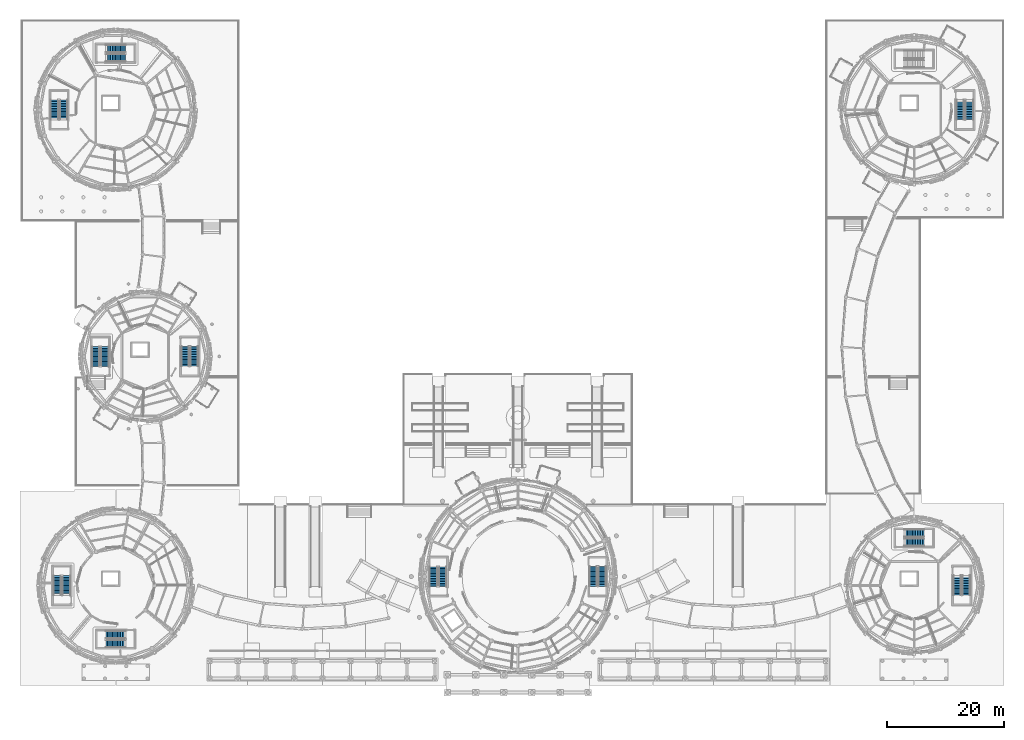
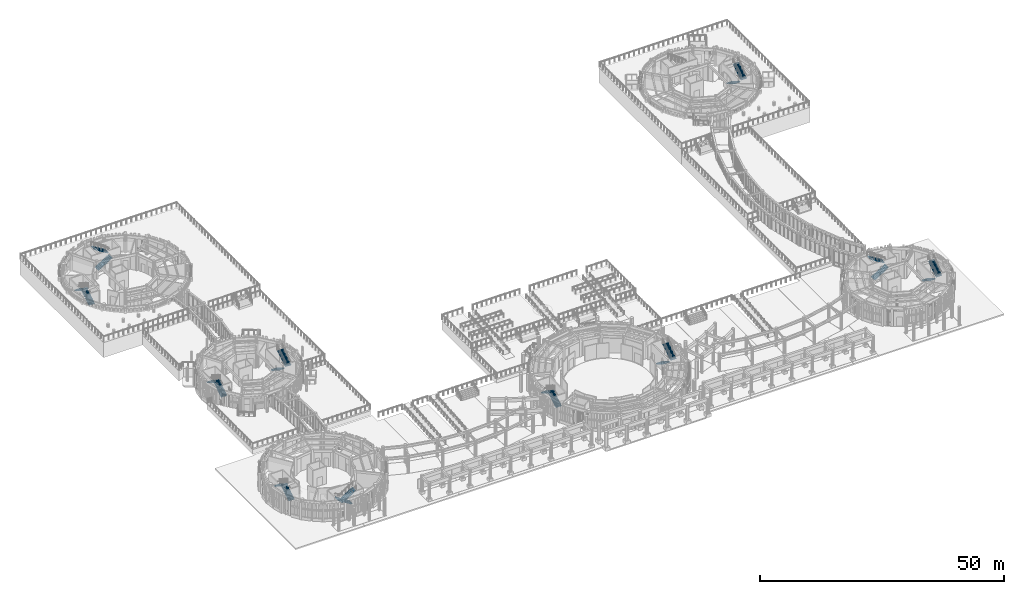
# One storey, part 57 of 94: 22 stair flights, 11 elements without a shape of their own.
"""IFC4 building model written with IfcOpenShell, lengths in metres."""

from ifc_helpers import new_model, si_unit, direction, frame, origin, place, context, subcontext, project, spatial, polyline, outline, extrude, material, type_object, element, aggregate, save


model = new_model("IFC4")

# Units and contexts
model_context = context("Model", 3, precision=1e-05, world=origin(), true_north=direction((0.0, 1.0)))
body_context = subcontext(model_context, "Body", "Model", "MODEL_VIEW")
ifc_project = project(units=[si_unit("LENGTHUNIT", "METRE"), si_unit("AREAUNIT", "SQUARE_METRE"), si_unit("VOLUMEUNIT", "CUBIC_METRE"), si_unit("PLANEANGLEUNIT", "RADIAN"), si_unit("MASSUNIT", "GRAM", prefix="KILO")], contexts=[model_context])

# Site, building, storey
site_placement = place(None, origin())
site = spatial("IfcSite", under=ifc_project, at=site_placement, CompositionType="ELEMENT")
building_placement = place(site_placement, origin())
building = spatial("IfcBuilding", under=site, at=building_placement, Name="Aldenvaro Health Centre", CompositionType="ELEMENT")
storey_placement = place(building_placement, origin())
storey = spatial("IfcBuildingStorey", under=building, at=storey_placement, Name="L00", CompositionType="ELEMENT", Elevation=0.0)

# Stair, stair flights
ifc_material = material(Name="Concrete f'c 40 MPa", Category="concrete")
stair_type = type_object("IfcStairType", Name="STR-DOG-455", PredefinedType="HALF_TURN_STAIR", material=ifc_material)
stair_1_placement = place(storey_placement, origin())
stair_1 = element("IfcStair", 1, at=stair_1_placement, inside=storey, type_object=stair_type, Name="L00 Exit Stair ST-01", PredefinedType="HALF_TURN_STAIR")
stair_flight_type_1 = type_object("IfcStairFlightType", Name="STRF-01", PredefinedType="STRAIGHT", material=ifc_material)
stair_flight_1_placement = place(storey_placement, frame((74.175048828125, 18.300048828125, 0.0), z_axis=(0.0, 0.0, 1.0), x_axis=(0.0, 1.0, 0.0)))
stair_flight_1 = element("IfcStairFlight", 2, at=stair_flight_1_placement, type_object=stair_flight_type_1, Name="ST-01 flight 1", NumberOfRisers=13, NumberOfTreads=12, PredefinedType="STRAIGHT", RiserHeight=0.175, TreadLength=0.28, context=body_context, shape_type="SweptSolid", body=[
    extrude(outline(polyline([(0.0, 0.0), (0.0, 0.175048828125), (0.280029296875, 0.175048828125), (0.280029296875, 0.35009765625), (0.56005859375, 0.35009765625), (0.56005859375, 0.52490234375), (0.840087890625, 0.52490234375), (0.840087890625, 0.699951171875), (1.1201171875, 0.699951171875), (1.1201171875, 0.875), (1.39990234375, 0.875), (1.39990234375, 1.050048828125), (1.679931640625, 1.050048828125), (1.679931640625, 1.22509765625), (1.9599609375, 1.22509765625), (1.9599609375, 1.39990234375), (2.239990234375, 1.39990234375), (2.239990234375, 1.574951171875), (2.52001953125, 1.574951171875), (2.52001953125, 1.75), (2.800048828125, 1.75), (2.800048828125, 1.925048828125), (3.080078125, 1.925048828125), (3.080078125, 2.10009765625), (3.360107421875, 2.10009765625), (3.360107421875, 2.27490234375), (3.360107421875, 1.911376953125), (0.3017578125, 0.0), (0.0, 0.0)])), frame((0.0, 0.675048828125, 0.0), z_axis=(0.0, -1.0, 0.0), x_axis=(1.0, 0.0, 0.0)), (0.0, 0.0, 1.0), 1.35009765625),
])
stair_flight_2_placement = place(storey_placement, frame((72.625, 21.659912109375, 2.27490234375), z_axis=(0.0, 0.0, 1.0), x_axis=(0.0, -1.0, 0.0)))
stair_flight_2 = element("IfcStairFlight", 3, at=stair_flight_2_placement, type_object=stair_flight_type_1, Name="ST-01 flight 2", NumberOfRisers=13, NumberOfTreads=12, PredefinedType="STRAIGHT", RiserHeight=0.175, TreadLength=0.28, context=body_context, shape_type="SweptSolid", body=[
    extrude(outline(polyline([(0.0, 0.0), (0.0, 0.175048828125), (0.280029296875, 0.175048828125), (0.280029296875, 0.35009765625), (0.56005859375, 0.35009765625), (0.56005859375, 0.52490234375), (0.840087890625, 0.52490234375), (0.840087890625, 0.699951171875), (1.1201171875, 0.699951171875), (1.1201171875, 0.875), (1.39990234375, 0.875), (1.39990234375, 1.050048828125), (1.679931640625, 1.050048828125), (1.679931640625, 1.22509765625), (1.9599609375, 1.22509765625), (1.9599609375, 1.39990234375), (2.239990234375, 1.39990234375), (2.239990234375, 1.574951171875), (2.52001953125, 1.574951171875), (2.52001953125, 1.75), (2.800048828125, 1.75), (2.800048828125, 1.925048828125), (3.080078125, 1.925048828125), (3.080078125, 2.10009765625), (3.360107421875, 2.10009765625), (3.360107421875, 2.27490234375), (3.360107421875, 1.911376953125), (0.3017578125, 0.0), (0.0, 0.0)])), frame((0.0, 0.675048828125, 0.0), z_axis=(0.0, -1.0, 0.0), x_axis=(1.0, 0.0, 0.0)), (0.0, 0.0, 1.0), 1.35009765625),
])
aggregate(stair_1, [stair_flight_1, stair_flight_2])

stair_2_placement = place(storey_placement, origin())
stair_2 = element("IfcStair", 4, at=stair_2_placement, inside=storey, type_object=stair_type, Name="L00 Exit Stair ST-03", PredefinedType="HALF_TURN_STAIR")
stair_flight_3_placement = place(storey_placement, frame((162.375, 101.199951171875, 0.0), z_axis=(0.0, 0.0, 1.0), x_axis=(0.0, -1.0, 0.0)))
stair_flight_3 = element("IfcStairFlight", 5, at=stair_flight_3_placement, type_object=stair_flight_type_1, Name="ST-03 flight 1", NumberOfRisers=13, NumberOfTreads=12, PredefinedType="STRAIGHT", RiserHeight=0.175, TreadLength=0.28, context=body_context, shape_type="SweptSolid", body=[
    extrude(outline(polyline([(0.0, 0.0), (0.0, 0.175048828125), (0.280029296875, 0.175048828125), (0.280029296875, 0.35009765625), (0.56005859375, 0.35009765625), (0.56005859375, 0.52490234375), (0.840087890625, 0.52490234375), (0.840087890625, 0.699951171875), (1.1201171875, 0.699951171875), (1.1201171875, 0.875), (1.39990234375, 0.875), (1.39990234375, 1.050048828125), (1.679931640625, 1.050048828125), (1.679931640625, 1.22509765625), (1.9599609375, 1.22509765625), (1.9599609375, 1.39990234375), (2.239990234375, 1.39990234375), (2.239990234375, 1.574951171875), (2.52001953125, 1.574951171875), (2.52001953125, 1.75), (2.800048828125, 1.75), (2.800048828125, 1.925048828125), (3.080078125, 1.925048828125), (3.080078125, 2.10009765625), (3.360107421875, 2.10009765625), (3.360107421875, 2.27490234375), (3.360107421875, 1.911376953125), (0.3017578125, 0.0), (0.0, 0.0)])), frame((0.0, 0.675048828125, 0.0), z_axis=(0.0, -1.0, 0.0), x_axis=(1.0, 0.0, 0.0)), (0.0, 0.0, 1.0), 1.35009765625),
])
stair_flight_4_placement = place(storey_placement, frame((163.925048828125, 97.840087890625, 2.27490234375), z_axis=(0.0, 0.0, 1.0), x_axis=(0.0, 1.0, 0.0)))
stair_flight_4 = element("IfcStairFlight", 6, at=stair_flight_4_placement, type_object=stair_flight_type_1, Name="ST-03 flight 2", NumberOfRisers=13, NumberOfTreads=12, PredefinedType="STRAIGHT", RiserHeight=0.175, TreadLength=0.28, context=body_context, shape_type="SweptSolid", body=[
    extrude(outline(polyline([(0.0, 0.0), (0.0, 0.175048828125), (0.280029296875, 0.175048828125), (0.280029296875, 0.35009765625), (0.56005859375, 0.35009765625), (0.56005859375, 0.52490234375), (0.840087890625, 0.52490234375), (0.840087890625, 0.699951171875), (1.1201171875, 0.699951171875), (1.1201171875, 0.875), (1.39990234375, 0.875), (1.39990234375, 1.050048828125), (1.679931640625, 1.050048828125), (1.679931640625, 1.22509765625), (1.9599609375, 1.22509765625), (1.9599609375, 1.39990234375), (2.239990234375, 1.39990234375), (2.239990234375, 1.574951171875), (2.52001953125, 1.574951171875), (2.52001953125, 1.75), (2.800048828125, 1.75), (2.800048828125, 1.925048828125), (3.080078125, 1.925048828125), (3.080078125, 2.10009765625), (3.360107421875, 2.10009765625), (3.360107421875, 2.27490234375), (3.360107421875, 1.911376953125), (0.3017578125, 0.0), (0.0, 0.0)])), frame((0.0, 0.675048828125, 0.0), z_axis=(0.0, -1.0, 0.0), x_axis=(1.0, 0.0, 0.0)), (0.0, 0.0, 1.0), 1.35009765625),
])
aggregate(stair_2, [stair_flight_3, stair_flight_4])

stair_3_placement = place(storey_placement, origin())
stair_3 = element("IfcStair", 7, at=stair_3_placement, inside=storey, type_object=stair_type, Name="L00 Exit Stair ST-05", PredefinedType="HALF_TURN_STAIR")
stair_flight_5_placement = place(storey_placement, frame((30.324951171875, 59.199951171875, 0.0), z_axis=(0.0, 0.0, 1.0), x_axis=(0.0, -1.0, 0.0)))
stair_flight_5 = element("IfcStairFlight", 8, at=stair_flight_5_placement, type_object=stair_flight_type_1, Name="ST-05 flight 1", NumberOfRisers=13, NumberOfTreads=12, PredefinedType="STRAIGHT", RiserHeight=0.175, TreadLength=0.28, context=body_context, shape_type="SweptSolid", body=[
    extrude(outline(polyline([(0.0, 0.0), (0.0, 0.175048828125), (0.280029296875, 0.175048828125), (0.280029296875, 0.35009765625), (0.56005859375, 0.35009765625), (0.56005859375, 0.52490234375), (0.840087890625, 0.52490234375), (0.840087890625, 0.699951171875), (1.1201171875, 0.699951171875), (1.1201171875, 0.875), (1.39990234375, 0.875), (1.39990234375, 1.050048828125), (1.679931640625, 1.050048828125), (1.679931640625, 1.22509765625), (1.9599609375, 1.22509765625), (1.9599609375, 1.39990234375), (2.239990234375, 1.39990234375), (2.239990234375, 1.574951171875), (2.52001953125, 1.574951171875), (2.52001953125, 1.75), (2.800048828125, 1.75), (2.800048828125, 1.925048828125), (3.080078125, 1.925048828125), (3.080078125, 2.10009765625), (3.360107421875, 2.10009765625), (3.360107421875, 2.27490234375), (3.360107421875, 1.911376953125), (0.3017578125, 0.0), (0.0, 0.0)])), frame((0.0, 0.675048828125, 0.0), z_axis=(0.0, -1.0, 0.0), x_axis=(1.0, 0.0, 0.0)), (0.0, 0.0, 1.0), 1.35009765625),
])
stair_flight_6_placement = place(storey_placement, frame((31.875, 55.840087890625, 2.27490234375), z_axis=(0.0, 0.0, 1.0), x_axis=(0.0, 1.0, 0.0)))
stair_flight_6 = element("IfcStairFlight", 9, at=stair_flight_6_placement, type_object=stair_flight_type_1, Name="ST-05 flight 2", NumberOfRisers=13, NumberOfTreads=12, PredefinedType="STRAIGHT", RiserHeight=0.175, TreadLength=0.28, context=body_context, shape_type="SweptSolid", body=[
    extrude(outline(polyline([(0.0, 0.0), (0.0, 0.175048828125), (0.280029296875, 0.175048828125), (0.280029296875, 0.35009765625), (0.56005859375, 0.35009765625), (0.56005859375, 0.52490234375), (0.840087890625, 0.52490234375), (0.840087890625, 0.699951171875), (1.1201171875, 0.699951171875), (1.1201171875, 0.875), (1.39990234375, 0.875), (1.39990234375, 1.050048828125), (1.679931640625, 1.050048828125), (1.679931640625, 1.22509765625), (1.9599609375, 1.22509765625), (1.9599609375, 1.39990234375), (2.239990234375, 1.39990234375), (2.239990234375, 1.574951171875), (2.52001953125, 1.574951171875), (2.52001953125, 1.75), (2.800048828125, 1.75), (2.800048828125, 1.925048828125), (3.080078125, 1.925048828125), (3.080078125, 2.10009765625), (3.360107421875, 2.10009765625), (3.360107421875, 2.27490234375), (3.360107421875, 1.911376953125), (0.3017578125, 0.0), (0.0, 0.0)])), frame((0.0, 0.675048828125, 0.0), z_axis=(0.0, -1.0, 0.0), x_axis=(1.0, 0.0, 0.0)), (0.0, 0.0, 1.0), 1.35009765625),
])
aggregate(stair_3, [stair_flight_5, stair_flight_6])

stair_4_placement = place(storey_placement, origin())
stair_4 = element("IfcStair", 10, at=stair_4_placement, inside=storey, type_object=stair_type, Name="L00 Exit Stair ST-07", PredefinedType="HALF_TURN_STAIR")
stair_flight_7_placement = place(storey_placement, frame((16.800048828125, 108.375, 0.0), z_axis=(0.0, 0.0, 1.0), x_axis=(1.0, 0.0, 0.0)))
stair_flight_7 = element("IfcStairFlight", 11, at=stair_flight_7_placement, type_object=stair_flight_type_1, Name="ST-07 flight 1", NumberOfRisers=13, NumberOfTreads=12, PredefinedType="STRAIGHT", RiserHeight=0.175, TreadLength=0.28, context=body_context, shape_type="SweptSolid", body=[
    extrude(outline(polyline([(0.0, 0.0), (0.0, 0.175048828125), (0.280029296875, 0.175048828125), (0.280029296875, 0.35009765625), (0.56005859375, 0.35009765625), (0.56005859375, 0.52490234375), (0.840087890625, 0.52490234375), (0.840087890625, 0.699951171875), (1.1201171875, 0.699951171875), (1.1201171875, 0.875), (1.39990234375, 0.875), (1.39990234375, 1.050048828125), (1.679931640625, 1.050048828125), (1.679931640625, 1.22509765625), (1.9599609375, 1.22509765625), (1.9599609375, 1.39990234375), (2.239990234375, 1.39990234375), (2.239990234375, 1.574951171875), (2.52001953125, 1.574951171875), (2.52001953125, 1.75), (2.800048828125, 1.75), (2.800048828125, 1.925048828125), (3.080078125, 1.925048828125), (3.080078125, 2.10009765625), (3.360107421875, 2.10009765625), (3.360107421875, 2.27490234375), (3.360107421875, 1.911376953125), (0.3017578125, 0.0), (0.0, 0.0)])), frame((0.0, 0.675048828125, 0.0), z_axis=(0.0, -1.0, 0.0), x_axis=(1.0, 0.0, 0.0)), (0.0, 0.0, 1.0), 1.35009765625),
])
stair_flight_8_placement = place(storey_placement, frame((20.159912109375, 109.925048828125, 2.27490234375), z_axis=(0.0, 0.0, 1.0), x_axis=(-1.0, 0.0, 0.0)))
stair_flight_8 = element("IfcStairFlight", 12, at=stair_flight_8_placement, type_object=stair_flight_type_1, Name="ST-07 flight 2", NumberOfRisers=13, NumberOfTreads=12, PredefinedType="STRAIGHT", RiserHeight=0.175, TreadLength=0.28, context=body_context, shape_type="SweptSolid", body=[
    extrude(outline(polyline([(0.0, 0.0), (0.0, 0.175048828125), (0.280029296875, 0.175048828125), (0.280029296875, 0.35009765625), (0.56005859375, 0.35009765625), (0.56005859375, 0.52490234375), (0.840087890625, 0.52490234375), (0.840087890625, 0.699951171875), (1.1201171875, 0.699951171875), (1.1201171875, 0.875), (1.39990234375, 0.875), (1.39990234375, 1.050048828125), (1.679931640625, 1.050048828125), (1.679931640625, 1.22509765625), (1.9599609375, 1.22509765625), (1.9599609375, 1.39990234375), (2.239990234375, 1.39990234375), (2.239990234375, 1.574951171875), (2.52001953125, 1.574951171875), (2.52001953125, 1.75), (2.800048828125, 1.75), (2.800048828125, 1.925048828125), (3.080078125, 1.925048828125), (3.080078125, 2.10009765625), (3.360107421875, 2.10009765625), (3.360107421875, 2.27490234375), (3.360107421875, 1.911376953125), (0.3017578125, 0.0), (0.0, 0.0)])), frame((0.0, 0.675048828125, 0.0), z_axis=(0.0, -1.0, 0.0), x_axis=(1.0, 0.0, 0.0)), (0.0, 0.0, 1.0), 1.35009765625),
])
aggregate(stair_4, [stair_flight_7, stair_flight_8])

stair_5_placement = place(storey_placement, origin())
stair_5 = element("IfcStair", 13, at=stair_5_placement, inside=storey, type_object=stair_type, Name="L00 Exit Stair ST-09", PredefinedType="HALF_TURN_STAIR")
stair_flight_9_placement = place(storey_placement, frame((10.125, 16.800048828125, 0.0), z_axis=(0.0, 0.0, 1.0), x_axis=(0.0, 1.0, 0.0)))
stair_flight_9 = element("IfcStairFlight", 14, at=stair_flight_9_placement, type_object=stair_flight_type_1, Name="ST-09 flight 1", NumberOfRisers=13, NumberOfTreads=12, PredefinedType="STRAIGHT", RiserHeight=0.175, TreadLength=0.28, context=body_context, shape_type="SweptSolid", body=[
    extrude(outline(polyline([(0.0, 0.0), (0.0, 0.175048828125), (0.280029296875, 0.175048828125), (0.280029296875, 0.35009765625), (0.56005859375, 0.35009765625), (0.56005859375, 0.52490234375), (0.840087890625, 0.52490234375), (0.840087890625, 0.699951171875), (1.1201171875, 0.699951171875), (1.1201171875, 0.875), (1.39990234375, 0.875), (1.39990234375, 1.050048828125), (1.679931640625, 1.050048828125), (1.679931640625, 1.22509765625), (1.9599609375, 1.22509765625), (1.9599609375, 1.39990234375), (2.239990234375, 1.39990234375), (2.239990234375, 1.574951171875), (2.52001953125, 1.574951171875), (2.52001953125, 1.75), (2.800048828125, 1.75), (2.800048828125, 1.925048828125), (3.080078125, 1.925048828125), (3.080078125, 2.10009765625), (3.360107421875, 2.10009765625), (3.360107421875, 2.27490234375), (3.360107421875, 1.911376953125), (0.3017578125, 0.0), (0.0, 0.0)])), frame((0.0, 0.675048828125, 0.0), z_axis=(0.0, -1.0, 0.0), x_axis=(1.0, 0.0, 0.0)), (0.0, 0.0, 1.0), 1.35009765625),
])
stair_flight_10_placement = place(storey_placement, frame((8.574951171875, 20.159912109375, 2.27490234375), z_axis=(0.0, 0.0, 1.0), x_axis=(0.0, -1.0, 0.0)))
stair_flight_10 = element("IfcStairFlight", 15, at=stair_flight_10_placement, type_object=stair_flight_type_1, Name="ST-09 flight 2", NumberOfRisers=13, NumberOfTreads=12, PredefinedType="STRAIGHT", RiserHeight=0.175, TreadLength=0.28, context=body_context, shape_type="SweptSolid", body=[
    extrude(outline(polyline([(0.0, 0.0), (0.0, 0.175048828125), (0.280029296875, 0.175048828125), (0.280029296875, 0.35009765625), (0.56005859375, 0.35009765625), (0.56005859375, 0.52490234375), (0.840087890625, 0.52490234375), (0.840087890625, 0.699951171875), (1.1201171875, 0.699951171875), (1.1201171875, 0.875), (1.39990234375, 0.875), (1.39990234375, 1.050048828125), (1.679931640625, 1.050048828125), (1.679931640625, 1.22509765625), (1.9599609375, 1.22509765625), (1.9599609375, 1.39990234375), (2.239990234375, 1.39990234375), (2.239990234375, 1.574951171875), (2.52001953125, 1.574951171875), (2.52001953125, 1.75), (2.800048828125, 1.75), (2.800048828125, 1.925048828125), (3.080078125, 1.925048828125), (3.080078125, 2.10009765625), (3.360107421875, 2.10009765625), (3.360107421875, 2.27490234375), (3.360107421875, 1.911376953125), (0.3017578125, 0.0), (0.0, 0.0)])), frame((0.0, 0.675048828125, 0.0), z_axis=(0.0, -1.0, 0.0), x_axis=(1.0, 0.0, 0.0)), (0.0, 0.0, 1.0), 1.35009765625),
])
aggregate(stair_5, [stair_flight_9, stair_flight_10])

stair_6_placement = place(storey_placement, origin())
stair_6 = element("IfcStair", 16, at=stair_6_placement, inside=storey, type_object=stair_type, Name="L00 Exit Stair ST-11", PredefinedType="HALF_TURN_STAIR")
stair_flight_11_placement = place(storey_placement, frame((161.824951171875, 20.199951171875, 0.0), z_axis=(0.0, 0.0, 1.0), x_axis=(0.0, -1.0, 0.0)))
stair_flight_11 = element("IfcStairFlight", 17, at=stair_flight_11_placement, type_object=stair_flight_type_1, Name="ST-11 flight 1", NumberOfRisers=13, NumberOfTreads=12, PredefinedType="STRAIGHT", RiserHeight=0.175, TreadLength=0.28, context=body_context, shape_type="SweptSolid", body=[
    extrude(outline(polyline([(0.0, 0.0), (0.0, 0.175048828125), (0.280029296875, 0.175048828125), (0.280029296875, 0.35009765625), (0.56005859375, 0.35009765625), (0.56005859375, 0.52490234375), (0.840087890625, 0.52490234375), (0.840087890625, 0.699951171875), (1.1201171875, 0.699951171875), (1.1201171875, 0.875), (1.39990234375, 0.875), (1.39990234375, 1.050048828125), (1.679931640625, 1.050048828125), (1.679931640625, 1.22509765625), (1.9599609375, 1.22509765625), (1.9599609375, 1.39990234375), (2.239990234375, 1.39990234375), (2.239990234375, 1.574951171875), (2.52001953125, 1.574951171875), (2.52001953125, 1.75), (2.800048828125, 1.75), (2.800048828125, 1.925048828125), (3.080078125, 1.925048828125), (3.080078125, 2.10009765625), (3.360107421875, 2.10009765625), (3.360107421875, 2.27490234375), (3.360107421875, 1.911376953125), (0.3017578125, 0.0), (0.0, 0.0)])), frame((0.0, 0.675048828125, 0.0), z_axis=(0.0, -1.0, 0.0), x_axis=(1.0, 0.0, 0.0)), (0.0, 0.0, 1.0), 1.35009765625),
])
stair_flight_12_placement = place(storey_placement, frame((163.375, 16.840087890625, 2.27490234375), z_axis=(0.0, 0.0, 1.0), x_axis=(0.0, 1.0, 0.0)))
stair_flight_12 = element("IfcStairFlight", 18, at=stair_flight_12_placement, type_object=stair_flight_type_1, Name="ST-11 flight 2", NumberOfRisers=13, NumberOfTreads=12, PredefinedType="STRAIGHT", RiserHeight=0.175, TreadLength=0.28, context=body_context, shape_type="SweptSolid", body=[
    extrude(outline(polyline([(0.0, 0.0), (0.0, 0.175048828125), (0.280029296875, 0.175048828125), (0.280029296875, 0.35009765625), (0.56005859375, 0.35009765625), (0.56005859375, 0.52490234375), (0.840087890625, 0.52490234375), (0.840087890625, 0.699951171875), (1.1201171875, 0.699951171875), (1.1201171875, 0.875), (1.39990234375, 0.875), (1.39990234375, 1.050048828125), (1.679931640625, 1.050048828125), (1.679931640625, 1.22509765625), (1.9599609375, 1.22509765625), (1.9599609375, 1.39990234375), (2.239990234375, 1.39990234375), (2.239990234375, 1.574951171875), (2.52001953125, 1.574951171875), (2.52001953125, 1.75), (2.800048828125, 1.75), (2.800048828125, 1.925048828125), (3.080078125, 1.925048828125), (3.080078125, 2.10009765625), (3.360107421875, 2.10009765625), (3.360107421875, 2.27490234375), (3.360107421875, 1.911376953125), (0.3017578125, 0.0), (0.0, 0.0)])), frame((0.0, 0.675048828125, 0.0), z_axis=(0.0, -1.0, 0.0), x_axis=(1.0, 0.0, 0.0)), (0.0, 0.0, 1.0), 1.35009765625),
])
aggregate(stair_6, [stair_flight_11, stair_flight_12])

stair_7_placement = place(storey_placement, origin())
stair_7 = element("IfcStair", 19, at=stair_7_placement, inside=storey, type_object=stair_type, Name="L00 Exit Stair ST-02", PredefinedType="HALF_TURN_STAIR")
stair_flight_type_2 = type_object("IfcStairFlightType", Name="STRF-02", PredefinedType="STRAIGHT", material=ifc_material)
stair_flight_13_placement = place(storey_placement, frame((99.824951171875, 21.699951171875, 0.0), z_axis=(0.0, 0.0, 1.0), x_axis=(0.0, -1.0, 0.0)))
stair_flight_13 = element("IfcStairFlight", 20, at=stair_flight_13_placement, type_object=stair_flight_type_2, Name="ST-02 flight 1", NumberOfRisers=13, NumberOfTreads=12, PredefinedType="STRAIGHT", RiserHeight=0.175, TreadLength=0.28, context=body_context, shape_type="SweptSolid", body=[
    extrude(outline(polyline([(0.0, 0.0), (0.0, 0.175048828125), (0.280029296875, 0.175048828125), (0.280029296875, 0.35009765625), (0.56005859375, 0.35009765625), (0.56005859375, 0.52490234375), (0.840087890625, 0.52490234375), (0.840087890625, 0.699951171875), (1.1201171875, 0.699951171875), (1.1201171875, 0.875), (1.39990234375, 0.875), (1.39990234375, 1.050048828125), (1.679931640625, 1.050048828125), (1.679931640625, 1.22509765625), (1.9599609375, 1.22509765625), (1.9599609375, 1.39990234375), (2.239990234375, 1.39990234375), (2.239990234375, 1.574951171875), (2.52001953125, 1.574951171875), (2.52001953125, 1.75), (2.800048828125, 1.75), (2.800048828125, 1.925048828125), (3.080078125, 1.925048828125), (3.080078125, 2.10009765625), (3.360107421875, 2.10009765625), (3.360107421875, 2.27490234375), (3.360107421875, 1.911376953125), (0.3017578125, 0.0), (0.0, 0.0)])), frame((0.0, 0.675048828125, 0.0), z_axis=(0.0, -1.0, 0.0), x_axis=(1.0, 0.0, 0.0)), (0.0, 0.0, 1.0), 1.35009765625),
])
stair_flight_14_placement = place(storey_placement, frame((101.375, 18.340087890625, 2.27490234375), z_axis=(0.0, 0.0, 1.0), x_axis=(0.0, 1.0, 0.0)))
stair_flight_14 = element("IfcStairFlight", 21, at=stair_flight_14_placement, type_object=stair_flight_type_2, Name="ST-02 flight 2", NumberOfRisers=13, NumberOfTreads=12, PredefinedType="STRAIGHT", RiserHeight=0.175, TreadLength=0.28, context=body_context, shape_type="SweptSolid", body=[
    extrude(outline(polyline([(0.0, 0.0), (0.0, 0.175048828125), (0.280029296875, 0.175048828125), (0.280029296875, 0.35009765625), (0.56005859375, 0.35009765625), (0.56005859375, 0.52490234375), (0.840087890625, 0.52490234375), (0.840087890625, 0.699951171875), (1.1201171875, 0.699951171875), (1.1201171875, 0.875), (1.39990234375, 0.875), (1.39990234375, 1.050048828125), (1.679931640625, 1.050048828125), (1.679931640625, 1.22509765625), (1.9599609375, 1.22509765625), (1.9599609375, 1.39990234375), (2.239990234375, 1.39990234375), (2.239990234375, 1.574951171875), (2.52001953125, 1.574951171875), (2.52001953125, 1.75), (2.800048828125, 1.75), (2.800048828125, 1.925048828125), (3.080078125, 1.925048828125), (3.080078125, 2.10009765625), (3.360107421875, 2.10009765625), (3.360107421875, 2.27490234375), (3.360107421875, 1.911376953125), (0.3017578125, 0.0), (0.0, 0.0)])), frame((0.0, 0.675048828125, 0.0), z_axis=(0.0, -1.0, 0.0), x_axis=(1.0, 0.0, 0.0)), (0.0, 0.0, 1.0), 1.35009765625),
])
aggregate(stair_7, [stair_flight_13, stair_flight_14])

stair_8_placement = place(storey_placement, origin())
stair_8 = element("IfcStair", 22, at=stair_8_placement, inside=storey, type_object=stair_type, Name="L00 Exit Stair ST-06", PredefinedType="HALF_TURN_STAIR")
stair_flight_15_placement = place(storey_placement, frame((16.675048828125, 55.800048828125, 0.0), z_axis=(0.0, 0.0, 1.0), x_axis=(0.0, 1.0, 0.0)))
stair_flight_15 = element("IfcStairFlight", 23, at=stair_flight_15_placement, type_object=stair_flight_type_2, Name="ST-06 flight 1", NumberOfRisers=13, NumberOfTreads=12, PredefinedType="STRAIGHT", RiserHeight=0.175, TreadLength=0.28, context=body_context, shape_type="SweptSolid", body=[
    extrude(outline(polyline([(0.0, 0.0), (0.0, 0.175048828125), (0.280029296875, 0.175048828125), (0.280029296875, 0.35009765625), (0.56005859375, 0.35009765625), (0.56005859375, 0.52490234375), (0.840087890625, 0.52490234375), (0.840087890625, 0.699951171875), (1.1201171875, 0.699951171875), (1.1201171875, 0.875), (1.39990234375, 0.875), (1.39990234375, 1.050048828125), (1.679931640625, 1.050048828125), (1.679931640625, 1.22509765625), (1.9599609375, 1.22509765625), (1.9599609375, 1.39990234375), (2.239990234375, 1.39990234375), (2.239990234375, 1.574951171875), (2.52001953125, 1.574951171875), (2.52001953125, 1.75), (2.800048828125, 1.75), (2.800048828125, 1.925048828125), (3.080078125, 1.925048828125), (3.080078125, 2.10009765625), (3.360107421875, 2.10009765625), (3.360107421875, 2.27490234375), (3.360107421875, 1.911376953125), (0.3017578125, 0.0), (0.0, 0.0)])), frame((0.0, 0.675048828125, 0.0), z_axis=(0.0, -1.0, 0.0), x_axis=(1.0, 0.0, 0.0)), (0.0, 0.0, 1.0), 1.35009765625),
])
stair_flight_16_placement = place(storey_placement, frame((15.125, 59.159912109375, 2.27490234375), z_axis=(0.0, 0.0, 1.0), x_axis=(0.0, -1.0, 0.0)))
stair_flight_16 = element("IfcStairFlight", 24, at=stair_flight_16_placement, type_object=stair_flight_type_2, Name="ST-06 flight 2", NumberOfRisers=13, NumberOfTreads=12, PredefinedType="STRAIGHT", RiserHeight=0.175, TreadLength=0.28, context=body_context, shape_type="SweptSolid", body=[
    extrude(outline(polyline([(0.0, 0.0), (0.0, 0.175048828125), (0.280029296875, 0.175048828125), (0.280029296875, 0.35009765625), (0.56005859375, 0.35009765625), (0.56005859375, 0.52490234375), (0.840087890625, 0.52490234375), (0.840087890625, 0.699951171875), (1.1201171875, 0.699951171875), (1.1201171875, 0.875), (1.39990234375, 0.875), (1.39990234375, 1.050048828125), (1.679931640625, 1.050048828125), (1.679931640625, 1.22509765625), (1.9599609375, 1.22509765625), (1.9599609375, 1.39990234375), (2.239990234375, 1.39990234375), (2.239990234375, 1.574951171875), (2.52001953125, 1.574951171875), (2.52001953125, 1.75), (2.800048828125, 1.75), (2.800048828125, 1.925048828125), (3.080078125, 1.925048828125), (3.080078125, 2.10009765625), (3.360107421875, 2.10009765625), (3.360107421875, 2.27490234375), (3.360107421875, 1.911376953125), (0.3017578125, 0.0), (0.0, 0.0)])), frame((0.0, 0.675048828125, 0.0), z_axis=(0.0, -1.0, 0.0), x_axis=(1.0, 0.0, 0.0)), (0.0, 0.0, 1.0), 1.35009765625),
])
aggregate(stair_8, [stair_flight_15, stair_flight_16])

stair_9_placement = place(storey_placement, origin())
stair_9 = element("IfcStair", 25, at=stair_9_placement, inside=storey, type_object=stair_type, Name="L00 Exit Stair ST-08", PredefinedType="HALF_TURN_STAIR")
stair_flight_17_placement = place(storey_placement, frame((9.625, 97.800048828125, 0.0), z_axis=(0.0, 0.0, 1.0), x_axis=(0.0, 1.0, 0.0)))
stair_flight_17 = element("IfcStairFlight", 26, at=stair_flight_17_placement, type_object=stair_flight_type_2, Name="ST-08 flight 1", NumberOfRisers=13, NumberOfTreads=12, PredefinedType="STRAIGHT", RiserHeight=0.175, TreadLength=0.28, context=body_context, shape_type="SweptSolid", body=[
    extrude(outline(polyline([(0.0, 0.0), (0.0, 0.175048828125), (0.280029296875, 0.175048828125), (0.280029296875, 0.35009765625), (0.56005859375, 0.35009765625), (0.56005859375, 0.52490234375), (0.840087890625, 0.52490234375), (0.840087890625, 0.699951171875), (1.1201171875, 0.699951171875), (1.1201171875, 0.875), (1.39990234375, 0.875), (1.39990234375, 1.050048828125), (1.679931640625, 1.050048828125), (1.679931640625, 1.22509765625), (1.9599609375, 1.22509765625), (1.9599609375, 1.39990234375), (2.239990234375, 1.39990234375), (2.239990234375, 1.574951171875), (2.52001953125, 1.574951171875), (2.52001953125, 1.75), (2.800048828125, 1.75), (2.800048828125, 1.925048828125), (3.080078125, 1.925048828125), (3.080078125, 2.10009765625), (3.360107421875, 2.10009765625), (3.360107421875, 2.27490234375), (3.360107421875, 1.911376953125), (0.3017578125, 0.0), (0.0, 0.0)])), frame((0.0, 0.675048828125, 0.0), z_axis=(0.0, -1.0, 0.0), x_axis=(1.0, 0.0, 0.0)), (0.0, 0.0, 1.0), 1.35009765625),
])
stair_flight_18_placement = place(storey_placement, frame((8.074951171875, 101.159912109375, 2.27490234375), z_axis=(0.0, 0.0, 1.0), x_axis=(0.0, -1.0, 0.0)))
stair_flight_18 = element("IfcStairFlight", 27, at=stair_flight_18_placement, type_object=stair_flight_type_2, Name="ST-08 flight 2", NumberOfRisers=13, NumberOfTreads=12, PredefinedType="STRAIGHT", RiserHeight=0.175, TreadLength=0.28, context=body_context, shape_type="SweptSolid", body=[
    extrude(outline(polyline([(0.0, 0.0), (0.0, 0.175048828125), (0.280029296875, 0.175048828125), (0.280029296875, 0.35009765625), (0.56005859375, 0.35009765625), (0.56005859375, 0.52490234375), (0.840087890625, 0.52490234375), (0.840087890625, 0.699951171875), (1.1201171875, 0.699951171875), (1.1201171875, 0.875), (1.39990234375, 0.875), (1.39990234375, 1.050048828125), (1.679931640625, 1.050048828125), (1.679931640625, 1.22509765625), (1.9599609375, 1.22509765625), (1.9599609375, 1.39990234375), (2.239990234375, 1.39990234375), (2.239990234375, 1.574951171875), (2.52001953125, 1.574951171875), (2.52001953125, 1.75), (2.800048828125, 1.75), (2.800048828125, 1.925048828125), (3.080078125, 1.925048828125), (3.080078125, 2.10009765625), (3.360107421875, 2.10009765625), (3.360107421875, 2.27490234375), (3.360107421875, 1.911376953125), (0.3017578125, 0.0), (0.0, 0.0)])), frame((0.0, 0.675048828125, 0.0), z_axis=(0.0, -1.0, 0.0), x_axis=(1.0, 0.0, 0.0)), (0.0, 0.0, 1.0), 1.35009765625),
])
aggregate(stair_9, [stair_flight_17, stair_flight_18])

stair_10_placement = place(storey_placement, origin())
stair_10 = element("IfcStair", 28, at=stair_10_placement, inside=storey, type_object=stair_type, Name="L00 Exit Stair ST-10", PredefinedType="HALF_TURN_STAIR")
stair_flight_19_placement = place(storey_placement, frame((20.199951171875, 10.125, 0.0), z_axis=(0.0, 0.0, 1.0), x_axis=(-1.0, 0.0, 0.0)))
stair_flight_19 = element("IfcStairFlight", 29, at=stair_flight_19_placement, type_object=stair_flight_type_2, Name="ST-10 flight 1", NumberOfRisers=13, NumberOfTreads=12, PredefinedType="STRAIGHT", RiserHeight=0.175, TreadLength=0.28, context=body_context, shape_type="SweptSolid", body=[
    extrude(outline(polyline([(0.0, 0.0), (0.0, 0.175048828125), (0.280029296875, 0.175048828125), (0.280029296875, 0.35009765625), (0.56005859375, 0.35009765625), (0.56005859375, 0.52490234375), (0.840087890625, 0.52490234375), (0.840087890625, 0.699951171875), (1.1201171875, 0.699951171875), (1.1201171875, 0.875), (1.39990234375, 0.875), (1.39990234375, 1.050048828125), (1.679931640625, 1.050048828125), (1.679931640625, 1.22509765625), (1.9599609375, 1.22509765625), (1.9599609375, 1.39990234375), (2.239990234375, 1.39990234375), (2.239990234375, 1.574951171875), (2.52001953125, 1.574951171875), (2.52001953125, 1.75), (2.800048828125, 1.75), (2.800048828125, 1.925048828125), (3.080078125, 1.925048828125), (3.080078125, 2.10009765625), (3.360107421875, 2.10009765625), (3.360107421875, 2.27490234375), (3.360107421875, 1.911376953125), (0.3017578125, 0.0), (0.0, 0.0)])), frame((0.0, 0.675048828125, 0.0), z_axis=(0.0, -1.0, 0.0), x_axis=(1.0, 0.0, 0.0)), (0.0, 0.0, 1.0), 1.35009765625),
])
stair_flight_20_placement = place(storey_placement, frame((16.840087890625, 8.574951171875, 2.27490234375), z_axis=(0.0, 0.0, 1.0), x_axis=(1.0, 0.0, 0.0)))
stair_flight_20 = element("IfcStairFlight", 30, at=stair_flight_20_placement, type_object=stair_flight_type_2, Name="ST-10 flight 2", NumberOfRisers=13, NumberOfTreads=12, PredefinedType="STRAIGHT", RiserHeight=0.175, TreadLength=0.28, context=body_context, shape_type="SweptSolid", body=[
    extrude(outline(polyline([(0.0, 0.0), (0.0, 0.175048828125), (0.280029296875, 0.175048828125), (0.280029296875, 0.35009765625), (0.56005859375, 0.35009765625), (0.56005859375, 0.52490234375), (0.840087890625, 0.52490234375), (0.840087890625, 0.699951171875), (1.1201171875, 0.699951171875), (1.1201171875, 0.875), (1.39990234375, 0.875), (1.39990234375, 1.050048828125), (1.679931640625, 1.050048828125), (1.679931640625, 1.22509765625), (1.9599609375, 1.22509765625), (1.9599609375, 1.39990234375), (2.239990234375, 1.39990234375), (2.239990234375, 1.574951171875), (2.52001953125, 1.574951171875), (2.52001953125, 1.75), (2.800048828125, 1.75), (2.800048828125, 1.925048828125), (3.080078125, 1.925048828125), (3.080078125, 2.10009765625), (3.360107421875, 2.10009765625), (3.360107421875, 2.27490234375), (3.360107421875, 1.911376953125), (0.3017578125, 0.0), (0.0, 0.0)])), frame((0.0, 0.675048828125, 0.0), z_axis=(0.0, -1.0, 0.0), x_axis=(1.0, 0.0, 0.0)), (0.0, 0.0, 1.0), 1.35009765625),
])
aggregate(stair_10, [stair_flight_19, stair_flight_20])

stair_11_placement = place(storey_placement, origin())
stair_11 = element("IfcStair", 31, at=stair_11_placement, inside=storey, type_object=stair_type, Name="L00 Exit Stair ST-12", PredefinedType="HALF_TURN_STAIR")
stair_flight_21_placement = place(storey_placement, frame((152.800048828125, 25.824951171875, 0.0), z_axis=(0.0, 0.0, 1.0), x_axis=(1.0, 0.0, 0.0)))
stair_flight_21 = element("IfcStairFlight", 32, at=stair_flight_21_placement, type_object=stair_flight_type_2, Name="ST-12 flight 1", NumberOfRisers=13, NumberOfTreads=12, PredefinedType="STRAIGHT", RiserHeight=0.175, TreadLength=0.28, context=body_context, shape_type="SweptSolid", body=[
    extrude(outline(polyline([(0.0, 0.0), (0.0, 0.175048828125), (0.280029296875, 0.175048828125), (0.280029296875, 0.35009765625), (0.56005859375, 0.35009765625), (0.56005859375, 0.52490234375), (0.840087890625, 0.52490234375), (0.840087890625, 0.699951171875), (1.1201171875, 0.699951171875), (1.1201171875, 0.875), (1.39990234375, 0.875), (1.39990234375, 1.050048828125), (1.679931640625, 1.050048828125), (1.679931640625, 1.22509765625), (1.9599609375, 1.22509765625), (1.9599609375, 1.39990234375), (2.239990234375, 1.39990234375), (2.239990234375, 1.574951171875), (2.52001953125, 1.574951171875), (2.52001953125, 1.75), (2.800048828125, 1.75), (2.800048828125, 1.925048828125), (3.080078125, 1.925048828125), (3.080078125, 2.10009765625), (3.360107421875, 2.10009765625), (3.360107421875, 2.27490234375), (3.360107421875, 1.911376953125), (0.3017578125, 0.0), (0.0, 0.0)])), frame((0.0, 0.675048828125, 0.0), z_axis=(0.0, -1.0, 0.0), x_axis=(1.0, 0.0, 0.0)), (0.0, 0.0, 1.0), 1.35009765625),
])
stair_flight_22_placement = place(storey_placement, frame((156.159912109375, 27.375, 2.27490234375), z_axis=(0.0, 0.0, 1.0), x_axis=(-1.0, 0.0, 0.0)))
stair_flight_22 = element("IfcStairFlight", 33, at=stair_flight_22_placement, type_object=stair_flight_type_2, Name="ST-12 flight 2", NumberOfRisers=13, NumberOfTreads=12, PredefinedType="STRAIGHT", RiserHeight=0.175, TreadLength=0.28, context=body_context, shape_type="SweptSolid", body=[
    extrude(outline(polyline([(0.0, 0.0), (0.0, 0.175048828125), (0.280029296875, 0.175048828125), (0.280029296875, 0.35009765625), (0.56005859375, 0.35009765625), (0.56005859375, 0.52490234375), (0.840087890625, 0.52490234375), (0.840087890625, 0.699951171875), (1.1201171875, 0.699951171875), (1.1201171875, 0.875), (1.39990234375, 0.875), (1.39990234375, 1.050048828125), (1.679931640625, 1.050048828125), (1.679931640625, 1.22509765625), (1.9599609375, 1.22509765625), (1.9599609375, 1.39990234375), (2.239990234375, 1.39990234375), (2.239990234375, 1.574951171875), (2.52001953125, 1.574951171875), (2.52001953125, 1.75), (2.800048828125, 1.75), (2.800048828125, 1.925048828125), (3.080078125, 1.925048828125), (3.080078125, 2.10009765625), (3.360107421875, 2.10009765625), (3.360107421875, 2.27490234375), (3.360107421875, 1.911376953125), (0.3017578125, 0.0), (0.0, 0.0)])), frame((0.0, 0.675048828125, 0.0), z_axis=(0.0, -1.0, 0.0), x_axis=(1.0, 0.0, 0.0)), (0.0, 0.0, 1.0), 1.35009765625),
])
aggregate(stair_11, [stair_flight_21, stair_flight_22])

save(model, "model.ifc")
